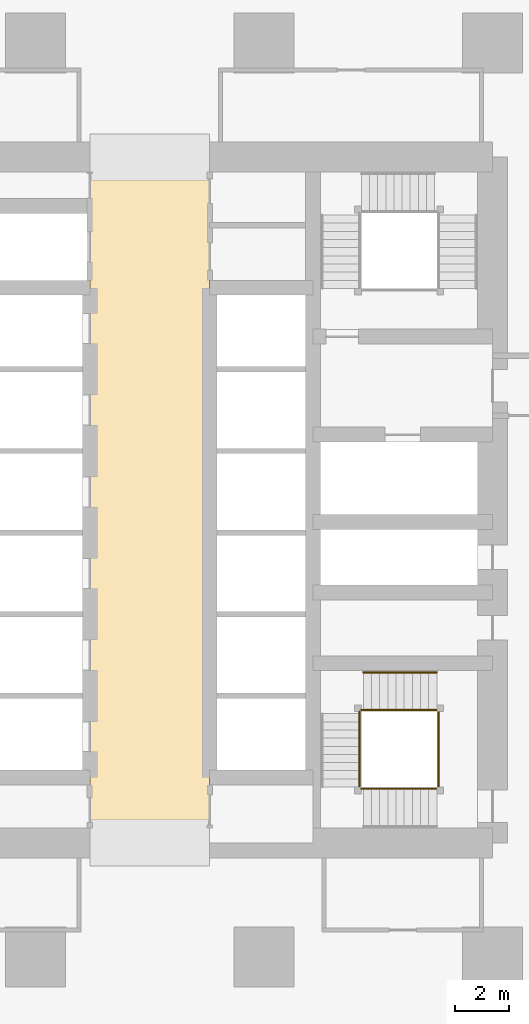
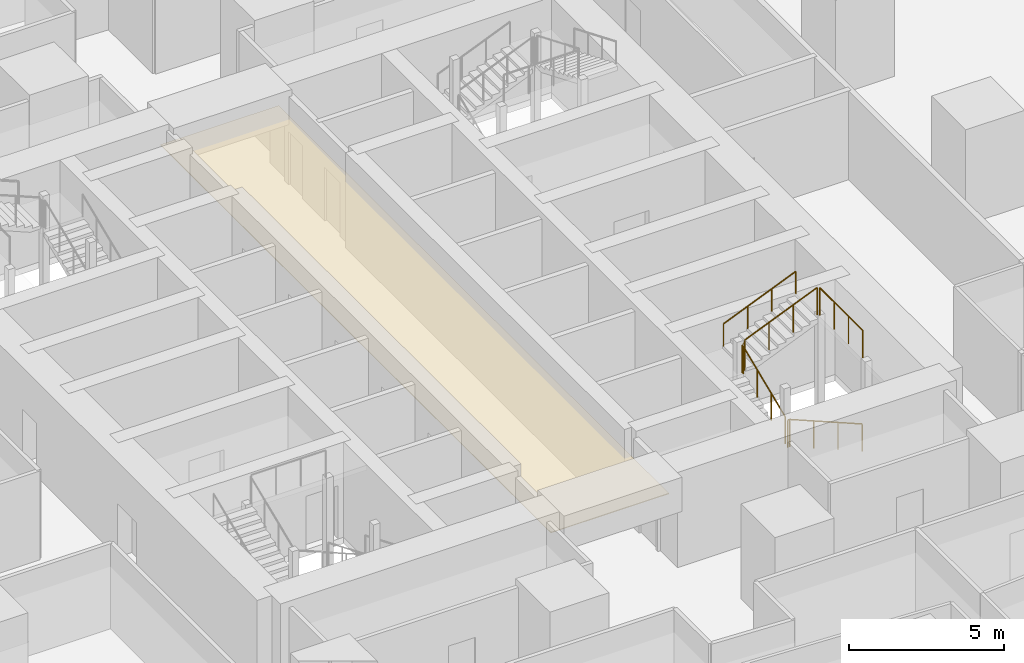
# One storey, part 37 of 42: 8 railings, 1 covering.
"""IFC4 building model written with IfcOpenShell, lengths in metres."""

import ifcopenshell
import ifcopenshell.guid

model = None  # the IFC model being written
_history = None  # IfcOwnerHistory: only IFC2X3 demands one
_inside = {}  # id of a spatial element -> (the spatial element, [elements in it])
_under = {}  # id of a project, library or spatial element -> (it, [spatial elements below it])
_declared = {}  # id of a project -> (the project, [libraries it declares])
_typed = {}  # id of a type object -> (the type object, [elements of that type])
_made_of = {}  # id of a material, layer set ... -> (it, [elements and type objects made of it])


def new_model(schema):
    """Start an empty IFC model of exactly this schema.

    Asked for "IFC4X3", IfcOpenShell would pick the latest addendum, in which some entities
    have other attributes; the version numbers below select the first issue.
    IFC2X3 requires an IfcOwnerHistory on every rooted entity: one is made here for all.
    """
    global model, _history
    if schema == "IFC4X3":
        model = ifcopenshell.file(schema_version=(4, 3, 0, 0))
    else:
        model = ifcopenshell.file(schema=schema)
    _inside.clear()
    _under.clear()
    _declared.clear()
    _typed.clear()
    _made_of.clear()
    _history = None
    if model.schema == "IFC2X3":
        org = make("IfcOrganization", Name="unknown")
        user = make(
            "IfcPersonAndOrganization",
            ThePerson=make("IfcPerson", FamilyName="unknown"),
            TheOrganization=org,
        )
        app = make(
            "IfcApplication",
            ApplicationDeveloper=org,
            Version="unknown",
            ApplicationFullName="unknown",
            ApplicationIdentifier="unknown",
        )
        _history = make(
            "IfcOwnerHistory",
            OwningUser=user,
            OwningApplication=app,
            ChangeAction="ADDED",
            CreationDate=0,
        )
    return model


def make(cls, **values):
    """One entity of the class cls with the attributes given. An attribute that is None is left unset."""
    return model.create_entity(
        cls, **{name: value for name, value in values.items() if value is not None}
    )


def rooted(cls, **values):
    """An entity with a GlobalId (a new one), such as an element, a storey or a relation."""
    return make(cls, GlobalId=ifcopenshell.guid.new(), OwnerHistory=_history, **values)


def si_unit(unit_type, name, prefix=None):
    """IfcSIUnit, for example si_unit("LENGTHUNIT", "METRE", prefix="MILLI")."""
    return make("IfcSIUnit", UnitType=unit_type, Prefix=prefix, Name=name)


def assignment(units):
    """IfcUnitAssignment: the units of a project."""
    return None if units is None else make("IfcUnitAssignment", Units=units)


def point(xyz):
    """IfcCartesianPoint."""
    return None if xyz is None else make("IfcCartesianPoint", Coordinates=xyz)


def direction(xyz):
    """IfcDirection."""
    return None if xyz is None else make("IfcDirection", DirectionRatios=xyz)


def frame(location, z_axis=None, x_axis=None):
    """IfcAxis2Placement3D, a coordinate frame: its origin and axes. An axis left out is left unset."""
    return make(
        "IfcAxis2Placement3D",
        Location=point(location),
        Axis=direction(z_axis),
        RefDirection=direction(x_axis),
    )


def frame_2d(location, x_axis=None):
    """IfcAxis2Placement2D, a coordinate frame in the plane: its origin and x axis."""
    return make(
        "IfcAxis2Placement2D", Location=point(location), RefDirection=direction(x_axis)
    )


def origin():
    """The frame at (0, 0, 0) with its axes left unset."""
    return frame((0.0, 0.0, 0.0))


def origin_2d():
    """The frame at (0, 0) in the plane with its x axis left unset."""
    return frame_2d((0.0, 0.0))


def place(relative_to, where):
    """IfcLocalPlacement: puts the frame where relative to a parent placement (None: the world)."""
    return make(
        "IfcLocalPlacement", PlacementRelTo=relative_to, RelativePlacement=where
    )


def context(
    kind, dimensions, precision=None, world=None, true_north=None, identifier=None
):
    """IfcGeometricRepresentationContext, for example the 3D "Model" context."""
    return make(
        "IfcGeometricRepresentationContext",
        ContextIdentifier=identifier,
        ContextType=kind,
        CoordinateSpaceDimension=dimensions,
        Precision=precision,
        WorldCoordinateSystem=world,
        TrueNorth=true_north,
    )


def subcontext(parent, identifier, kind, view, scale=None):
    """IfcGeometricRepresentationSubContext, for example "Body" below "Model"."""
    return make(
        "IfcGeometricRepresentationSubContext",
        ContextIdentifier=identifier,
        ContextType=kind,
        ParentContext=parent,
        TargetScale=scale,
        TargetView=view,
    )


def project(units=None, contexts=None):
    """IfcProject with its units and contexts."""
    return rooted(
        "IfcProject",
        Name="project",
        RepresentationContexts=contexts,
        UnitsInContext=assignment(units),
    )


def spatial(cls, under=None, at=None, **own):
    """A site, building, storey or space (cls), placed at a placement, below another one or the project."""
    s = rooted(cls, ObjectPlacement=at, **own)
    if under is not None:
        _under.setdefault(under.id(), (under, []))[1].append(s)
    return s


def polyline(points):
    """IfcPolyline through the points."""
    return make("IfcPolyline", Points=[point(p) for p in points])


def profile(cls, at=None, kind="AREA", **sizes):
    """A parametric profile (cls). Its sizes go by their IFC names, for example OverallWidth=200.0."""
    return make(cls, ProfileType=kind, Position=at, **sizes)


def circle(**sizes):
    """IfcCircleProfileDef."""
    return profile("IfcCircleProfileDef", **sizes)


def outline(outer, holes=None, kind="AREA"):
    """IfcArbitraryClosedProfileDef: a profile drawn as a closed curve; with holes, ...WithVoids."""
    if holes is None:
        return make("IfcArbitraryClosedProfileDef", ProfileType=kind, OuterCurve=outer)
    return make(
        "IfcArbitraryProfileDefWithVoids",
        ProfileType=kind,
        OuterCurve=outer,
        InnerCurves=holes,
    )


def extrude(swept, where, along, depth):
    """IfcExtrudedAreaSolid: the profile swept, set in the frame where, extruded along a direction by depth."""
    return make(
        "IfcExtrudedAreaSolid",
        SweptArea=swept,
        Position=where,
        ExtrudedDirection=direction(along),
        Depth=depth,
    )


def shape(context_of_items, identifier, shape_type, items):
    """IfcShapeRepresentation: the items that make up one representation, for example the "Body"."""
    return make(
        "IfcShapeRepresentation",
        ContextOfItems=context_of_items,
        RepresentationIdentifier=identifier,
        RepresentationType=shape_type,
        Items=items,
    )


def material(Name=None, Category=None):
    """IfcMaterial."""
    return make("IfcMaterial", Name=Name, Category=Category)


def layer(
    of_material, thickness, ventilated=None, Name=None, Category=None, Priority=None
):
    """IfcMaterialLayer: one layer of a wall or slab, of a material (None: an air gap)."""
    return make(
        "IfcMaterialLayer",
        Material=of_material,
        LayerThickness=thickness,
        IsVentilated=ventilated,
        Name=Name,
        Category=Category,
        Priority=Priority,
    )


def layer_set(layers, Name=None):
    """IfcMaterialLayerSet."""
    return make("IfcMaterialLayerSet", MaterialLayers=layers, LayerSetName=Name)


def made_of(thing, what):
    """Note that an element or type object is made of a material, layer set ...; save() writes the relation."""
    if what is not None:
        _made_of.setdefault(what.id(), (what, []))[1].append(thing)
    return thing


def type_object(cls, material=None, **own):
    """A type object (cls), such as IfcWallType, which elements share."""
    return made_of(rooted(cls, **own), material)


def element(
    cls,
    number,
    at=None,
    inside=None,
    cuts=None,
    type_object=None,
    material=None,
    context=None,
    identifier="Body",
    shape_type=None,
    held_by="IfcProductDefinitionShape",
    body=None,
    shapes=None,
    **own,
):
    """One element of the class cls, such as IfcWall. Its Tag is "e" and its number.

    at: its placement. inside: the storey or other place that contains it. cuts: it is an
    opening in that element (IfcRelVoidsElement). A single representation is given by context,
    identifier, shape_type and body (its items); several are given by shapes. held_by: the class
    of the entity that holds the representations. save() writes the other relations.
    """
    e = rooted(cls, Tag="e%d" % number, ObjectPlacement=at, **own)
    if body is not None:
        shapes = [shape(context, identifier, shape_type, body)]
    if shapes is not None:
        e.Representation = make(held_by, Representations=shapes)
    if inside is not None:
        _inside.setdefault(inside.id(), (inside, []))[1].append(e)
    if cuts is not None:
        rooted(
            "IfcRelVoidsElement", RelatingBuildingElement=cuts, RelatedOpeningElement=e
        )
    if type_object is not None:
        _typed.setdefault(type_object.id(), (type_object, []))[1].append(e)
    return made_of(e, material)


def aggregate(whole, parts):
    """IfcRelAggregates: a whole, such as a stair, and the parts it consists of."""
    return rooted("IfcRelAggregates", RelatingObject=whole, RelatedObjects=parts)


def save(model, path):
    """Write the relations noted so far, then the file.

    IfcRelAggregates (storeys below a building ...), IfcRelContainedInSpatialStructure (elements
    in a storey), IfcRelDefinesByType, IfcRelAssociatesMaterial and IfcRelDeclares: one each for
    every whole, place, type object, material and project.
    """
    for whole, parts in _under.values():
        aggregate(whole, parts)
    for where, things in _inside.values():
        rooted(
            "IfcRelContainedInSpatialStructure",
            RelatedElements=things,
            RelatingStructure=where,
        )
    for kind, things in _typed.values():
        rooted("IfcRelDefinesByType", RelatedObjects=things, RelatingType=kind)
    for what, things in _made_of.values():
        rooted("IfcRelAssociatesMaterial", RelatedObjects=things, RelatingMaterial=what)
    for by, libraries in _declared.values():
        rooted("IfcRelDeclares", RelatingContext=by, RelatedDefinitions=libraries)
    model.write(path)


model = new_model("IFC4")

# Units and contexts
model_context = context("Model", 3, precision=1e-05, world=origin(), true_north=direction((0.0, 1.0)))
body_context = subcontext(model_context, "Body", "Model", "MODEL_VIEW")
ifc_project = project(units=[si_unit("LENGTHUNIT", "METRE"), si_unit("AREAUNIT", "SQUARE_METRE"), si_unit("VOLUMEUNIT", "CUBIC_METRE"), si_unit("PLANEANGLEUNIT", "RADIAN"), si_unit("MASSUNIT", "GRAM", prefix="KILO")], contexts=[model_context])

# Site, building, storey
site_placement = place(None, origin())
site = spatial("IfcSite", under=ifc_project, at=site_placement, CompositionType="ELEMENT")
building_placement = place(site_placement, origin())
building = spatial("IfcBuilding", under=site, at=building_placement, Name="Rekha Terrace Tower", CompositionType="ELEMENT")
storey_placement = place(building_placement, frame((0.0, 0.0, 40.39990234375)))
storey = spatial("IfcBuildingStorey", under=building, at=storey_placement, Name="L09", CompositionType="ELEMENT", Elevation=40.39990234375)

# Covering
ifc_material_1 = material(Name="Powder-coated aluminium pan", Category="aluminium")
ifc_layer = layer(ifc_material_1, 0.030029296875)
ifc_layer_set = layer_set([ifc_layer], Name="Powder-coated aluminium pan")
covering_type = type_object("IfcCoveringType", Name="CL3 300x1200 metal pan ceiling", PredefinedType="CEILING", material=ifc_layer_set)
covering_placement = place(storey_placement, frame((0.0, 0.0, 2.570068359375)))
element("IfcCovering", 1, at=covering_placement, inside=storey, type_object=covering_type, Name="Ceiling L09-LOBBY", PredefinedType="CEILING", context=body_context, shape_type="SweptSolid", body=[
    extrude(outline(polyline([(40.0, 46.199951171875), (35.60009765625, 46.199951171875), (35.60009765625, 21.0), (40.0, 21.0), (40.0, 46.199951171875)])), origin(), (0.0, 0.0, 1.0), 0.030029296875),
])

# Railings
ifc_material_2 = material(Name="Stainless steel balustrade", Category="steel")
railing_type_1 = type_object("IfcRailingType", Name="GR1 1100 stair guard", PredefinedType="GUARDRAIL", material=ifc_material_2)
railing_1_placement = place(storey_placement, frame((48.35009765625, 22.989990234375, 0.125)))
element("IfcRailing", 2, at=railing_1_placement, inside=storey, type_object=railing_type_1, Name="Guard ST3 L09 flight 1", PredefinedType="GUARDRAIL", context=body_context, shape_type="SweptSolid", body=[
    extrude(circle(Radius=0.02392578125, at=origin_2d()), frame((0.0, 0.0, 1.076171875), z_axis=(-0.923086799901, 0.0, 0.38459167938), x_axis=(0.0, -1.0, 0.0)), (0.0, 0.0, 1.0), 2.92529296875),
    extrude(circle(Radius=0.02099609375, at=origin_2d()), origin(), (0.0, 0.0, 1.0), 1.052001953125),
    extrude(circle(Radius=0.02099609375, at=origin_2d()), frame((-0.900146484375, 0.0, 0.375)), (0.0, 0.0, 1.0), 1.052001953125),
    extrude(circle(Radius=0.02099609375, at=origin_2d()), frame((-1.800048828125, 0.0, 0.75)), (0.0, 0.0, 1.0), 1.052001953125),
    extrude(circle(Radius=0.02099609375, at=origin_2d()), frame((-2.7001953125, 0.0, 1.125)), (0.0, 0.0, 1.0), 1.052001953125),
])
railing_2_placement = place(storey_placement, frame((45.514892578125, 23.050048828125, 1.375)))
element("IfcRailing", 3, at=railing_2_placement, inside=storey, type_object=railing_type_1, Name="Guard ST3 L09 flight 2", PredefinedType="GUARDRAIL", context=body_context, shape_type="SweptSolid", body=[
    extrude(circle(Radius=0.02392578125, at=origin_2d()), frame((0.0, 0.0, 1.076171875), z_axis=(0.0, 0.923074453586, 0.384621311341), x_axis=(-1.0, 0.0, 0.0)), (0.0, 0.0, 1.0), 2.925048828125),
    extrude(circle(Radius=0.02099609375, at=origin_2d()), origin(), (0.0, 0.0, 1.0), 1.052001953125),
    extrude(circle(Radius=0.02099609375, at=origin_2d()), frame((0.0, 0.89990234375, 0.375)), (0.0, 0.0, 1.0), 1.052001953125),
    extrude(circle(Radius=0.02099609375, at=origin_2d()), frame((0.0, 1.800048828125, 0.75)), (0.0, 0.0, 1.0), 1.052001953125),
    extrude(circle(Radius=0.02099609375, at=origin_2d()), frame((0.0, 2.699951171875, 1.125)), (0.0, 0.0, 1.0), 1.052001953125),
])
railing_3_placement = place(storey_placement, frame((45.64990234375, 25.885009765625, 2.625)))
element("IfcRailing", 4, at=railing_3_placement, inside=storey, type_object=railing_type_1, Name="Guard ST3 L09 flight 3", PredefinedType="GUARDRAIL", context=body_context, shape_type="SweptSolid", body=[
    extrude(circle(Radius=0.02392578125, at=origin_2d()), frame((0.0, 0.0, 1.076171875), z_axis=(0.923086799901, 0.0, 0.38459167938), x_axis=(0.0, 1.0, 0.0)), (0.0, 0.0, 1.0), 2.92529296875),
    extrude(circle(Radius=0.02099609375, at=origin_2d()), origin(), (0.0, 0.0, 1.0), 1.052001953125),
    extrude(circle(Radius=0.02099609375, at=origin_2d()), frame((0.900146484375, 0.0, 0.375)), (0.0, 0.0, 1.0), 1.052001953125),
    extrude(circle(Radius=0.02099609375, at=origin_2d()), frame((1.800048828125, 0.0, 0.75)), (0.0, 0.0, 1.0), 1.052001953125),
    extrude(circle(Radius=0.02099609375, at=origin_2d()), frame((2.7001953125, 0.0, 1.125)), (0.0, 0.0, 1.0), 1.052001953125),
])
railing_4_placement = place(storey_placement, frame((45.64990234375, 22.989990234375, 1.25)))
element("IfcRailing", 5, at=railing_4_placement, inside=storey, type_object=railing_type_1, Name="Guard ST3 L09 landing 1", PredefinedType="GUARDRAIL", context=body_context, shape_type="SweptSolid", body=[
    extrude(circle(Radius=0.02392578125, at=origin_2d()), frame((0.0, 0.0, 1.076171875), z_axis=(-1.0, 0.0, 0.0), x_axis=(0.0, -1.0, 0.0)), (0.0, 0.0, 1.0), 0.074951171875),
    extrude(circle(Radius=0.02099609375, at=origin_2d()), origin(), (0.0, 0.0, 1.0), 1.052001953125),
    extrude(circle(Radius=0.02099609375, at=origin_2d()), frame((-0.074951171875, 0.0, 0.0)), (0.0, 0.0, 1.0), 1.052001953125),
])
railing_5_placement = place(storey_placement, frame((45.514892578125, 25.75, 2.5)))
element("IfcRailing", 6, at=railing_5_placement, inside=storey, type_object=railing_type_1, Name="Guard ST3 L09 landing 2", PredefinedType="GUARDRAIL", context=body_context, shape_type="SweptSolid", body=[
    extrude(circle(Radius=0.02392578125, at=origin_2d()), frame((0.0, 0.0, 1.076171875), z_axis=(0.0, 1.0, 0.0), x_axis=(-1.0, 0.0, 0.0)), (0.0, 0.0, 1.0), 0.074951171875),
    extrude(circle(Radius=0.02099609375, at=origin_2d()), origin(), (0.0, 0.0, 1.0), 1.052001953125),
    extrude(circle(Radius=0.02099609375, at=origin_2d()), frame((0.0, 0.074951171875, 0.0)), (0.0, 0.0, 1.0), 1.052001953125),
])
railing_6_placement = place(storey_placement, frame((45.64990234375, 25.885009765625, 2.5)))
element("IfcRailing", 7, at=railing_6_placement, inside=storey, type_object=railing_type_1, Name="Guard ST3 L09 landing 3", PredefinedType="GUARDRAIL", context=body_context, shape_type="SweptSolid", body=[
    extrude(circle(Radius=0.02392578125, at=origin_2d()), frame((0.0, 0.0, 1.076171875), z_axis=(-1.0, 0.0, 0.0), x_axis=(0.0, -1.0, 0.0)), (0.0, 0.0, 1.0), 0.074951171875),
    extrude(circle(Radius=0.02099609375, at=origin_2d()), origin(), (0.0, 0.0, 1.0), 1.052001953125),
    extrude(circle(Radius=0.02099609375, at=origin_2d()), frame((-0.074951171875, 0.0, 0.0)), (0.0, 0.0, 1.0), 1.052001953125),
])
railing_7_placement = place(storey_placement, frame((48.409912109375, 23.050048828125, 3.75)))
element("IfcRailing", 8, at=railing_7_placement, inside=storey, type_object=railing_type_1, Name="Guard ST3 L09 landing 4", PredefinedType="GUARDRAIL", context=body_context, shape_type="SweptSolid", body=[
    extrude(circle(Radius=0.02392578125, at=origin_2d()), frame((0.0, 0.0, 1.076171875), z_axis=(0.0, 1.0, 0.0), x_axis=(-1.0, 0.0, 0.0)), (0.0, 0.0, 1.0), 2.77490234375),
    extrude(circle(Radius=0.02099609375, at=origin_2d()), origin(), (0.0, 0.0, 1.0), 1.052001953125),
    extrude(circle(Radius=0.02099609375, at=origin_2d()), frame((0.0, 0.925048828125, 0.0)), (0.0, 0.0, 1.0), 1.052001953125),
    extrude(circle(Radius=0.02099609375, at=origin_2d()), frame((0.0, 1.849853515625, 0.0)), (0.0, 0.0, 1.0), 1.052001953125),
    extrude(circle(Radius=0.02099609375, at=origin_2d()), frame((0.0, 2.77490234375, 0.0)), (0.0, 0.0, 1.0), 1.052001953125),
])
ifc_material_3 = material(Name="Stainless steel tube", Category="steel")
railing_type_2 = type_object("IfcRailingType", Name="HR1 900 stair handrail", PredefinedType="HANDRAIL", material=ifc_material_3)
railing_8_placement = place(storey_placement, frame((45.64990234375, 27.264892578125, 2.625)))
element("IfcRailing", 9, at=railing_8_placement, inside=storey, type_object=railing_type_2, Name="Handrail ST3 L09 flight 3", PredefinedType="HANDRAIL", context=body_context, shape_type="SweptSolid", body=[
    extrude(circle(Radius=0.02392578125, at=origin_2d()), frame((0.0, 0.0, 0.8759765625), z_axis=(0.923086799901, 0.0, 0.38459167938), x_axis=(0.0, 1.0, 0.0)), (0.0, 0.0, 1.0), 2.92529296875),
    extrude(circle(Radius=0.02099609375, at=origin_2d()), origin(), (0.0, 0.0, 1.0), 0.851806640625),
    extrude(circle(Radius=0.02099609375, at=origin_2d()), frame((0.900146484375, 0.0, 0.375)), (0.0, 0.0, 1.0), 0.851806640625),
    extrude(circle(Radius=0.02099609375, at=origin_2d()), frame((1.800048828125, 0.0, 0.75)), (0.0, 0.0, 1.0), 0.851806640625),
    extrude(circle(Radius=0.02099609375, at=origin_2d()), frame((2.7001953125, 0.0, 1.125)), (0.0, 0.0, 1.0), 0.851806640625),
])

save(model, "model.ifc")
